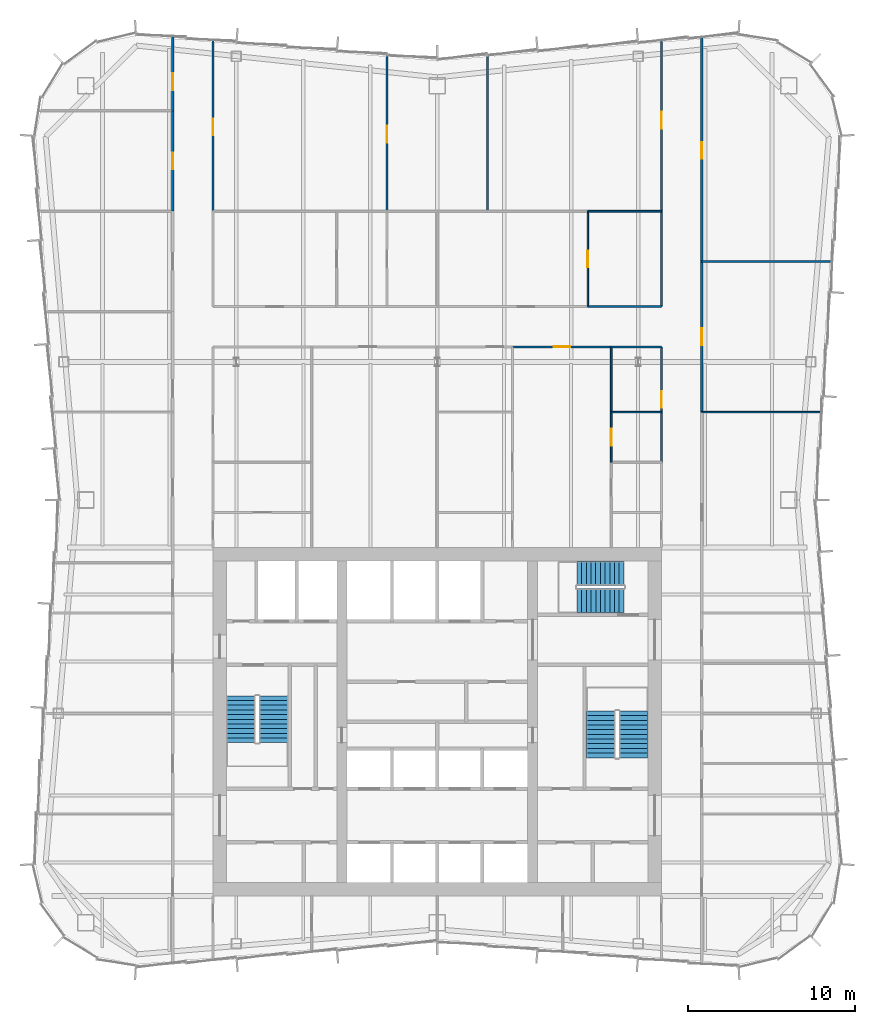
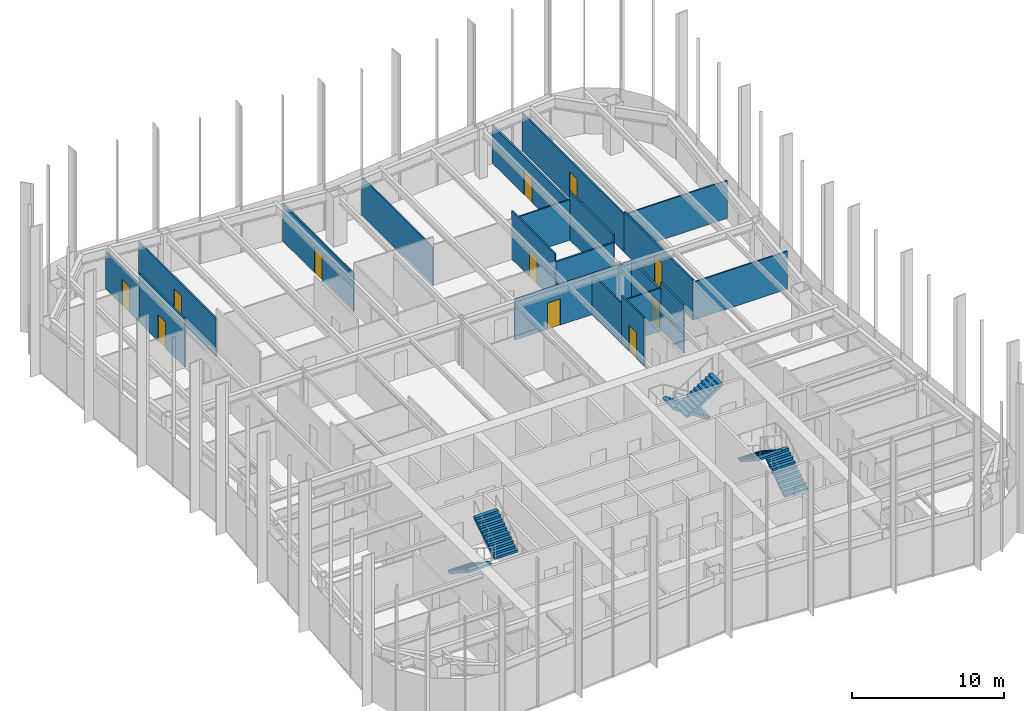
# One storey, part 14 of 15: 21 walls, 11 doors, 6 stair flights, 11 openings, 3 elements without a shape of their own.
"""IFC4 building model written with IfcOpenShell, lengths in metres."""

import ifcopenshell
import ifcopenshell.guid

model = None  # the IFC model being written
_history = None  # IfcOwnerHistory: only IFC2X3 demands one
_inside = {}  # id of a spatial element -> (the spatial element, [elements in it])
_under = {}  # id of a project, library or spatial element -> (it, [spatial elements below it])
_declared = {}  # id of a project -> (the project, [libraries it declares])
_typed = {}  # id of a type object -> (the type object, [elements of that type])
_made_of = {}  # id of a material, layer set ... -> (it, [elements and type objects made of it])


def new_model(schema):
    """Start an empty IFC model of exactly this schema.

    Asked for "IFC4X3", IfcOpenShell would pick the latest addendum, in which some entities
    have other attributes; the version numbers below select the first issue.
    IFC2X3 requires an IfcOwnerHistory on every rooted entity: one is made here for all.
    """
    global model, _history
    if schema == "IFC4X3":
        model = ifcopenshell.file(schema_version=(4, 3, 0, 0))
    else:
        model = ifcopenshell.file(schema=schema)
    _inside.clear()
    _under.clear()
    _declared.clear()
    _typed.clear()
    _made_of.clear()
    _history = None
    if model.schema == "IFC2X3":
        org = make("IfcOrganization", Name="unknown")
        user = make(
            "IfcPersonAndOrganization",
            ThePerson=make("IfcPerson", FamilyName="unknown"),
            TheOrganization=org,
        )
        app = make(
            "IfcApplication",
            ApplicationDeveloper=org,
            Version="unknown",
            ApplicationFullName="unknown",
            ApplicationIdentifier="unknown",
        )
        _history = make(
            "IfcOwnerHistory",
            OwningUser=user,
            OwningApplication=app,
            ChangeAction="ADDED",
            CreationDate=0,
        )
    return model


def make(cls, **values):
    """One entity of the class cls with the attributes given. An attribute that is None is left unset."""
    return model.create_entity(
        cls, **{name: value for name, value in values.items() if value is not None}
    )


def rooted(cls, **values):
    """An entity with a GlobalId (a new one), such as an element, a storey or a relation."""
    return make(cls, GlobalId=ifcopenshell.guid.new(), OwnerHistory=_history, **values)


def si_unit(unit_type, name, prefix=None):
    """IfcSIUnit, for example si_unit("LENGTHUNIT", "METRE", prefix="MILLI")."""
    return make("IfcSIUnit", UnitType=unit_type, Prefix=prefix, Name=name)


def assignment(units):
    """IfcUnitAssignment: the units of a project."""
    return None if units is None else make("IfcUnitAssignment", Units=units)


def point(xyz):
    """IfcCartesianPoint."""
    return None if xyz is None else make("IfcCartesianPoint", Coordinates=xyz)


def direction(xyz):
    """IfcDirection."""
    return None if xyz is None else make("IfcDirection", DirectionRatios=xyz)


def frame(location, z_axis=None, x_axis=None):
    """IfcAxis2Placement3D, a coordinate frame: its origin and axes. An axis left out is left unset."""
    return make(
        "IfcAxis2Placement3D",
        Location=point(location),
        Axis=direction(z_axis),
        RefDirection=direction(x_axis),
    )


def frame_2d(location, x_axis=None):
    """IfcAxis2Placement2D, a coordinate frame in the plane: its origin and x axis."""
    return make(
        "IfcAxis2Placement2D", Location=point(location), RefDirection=direction(x_axis)
    )


def origin():
    """The frame at (0, 0, 0) with its axes left unset."""
    return frame((0.0, 0.0, 0.0))


def place(relative_to, where):
    """IfcLocalPlacement: puts the frame where relative to a parent placement (None: the world)."""
    return make(
        "IfcLocalPlacement", PlacementRelTo=relative_to, RelativePlacement=where
    )


def context(
    kind, dimensions, precision=None, world=None, true_north=None, identifier=None
):
    """IfcGeometricRepresentationContext, for example the 3D "Model" context."""
    return make(
        "IfcGeometricRepresentationContext",
        ContextIdentifier=identifier,
        ContextType=kind,
        CoordinateSpaceDimension=dimensions,
        Precision=precision,
        WorldCoordinateSystem=world,
        TrueNorth=true_north,
    )


def subcontext(parent, identifier, kind, view, scale=None):
    """IfcGeometricRepresentationSubContext, for example "Body" below "Model"."""
    return make(
        "IfcGeometricRepresentationSubContext",
        ContextIdentifier=identifier,
        ContextType=kind,
        ParentContext=parent,
        TargetScale=scale,
        TargetView=view,
    )


def project(units=None, contexts=None):
    """IfcProject with its units and contexts."""
    return rooted(
        "IfcProject",
        Name="project",
        RepresentationContexts=contexts,
        UnitsInContext=assignment(units),
    )


def spatial(cls, under=None, at=None, **own):
    """A site, building, storey or space (cls), placed at a placement, below another one or the project."""
    s = rooted(cls, ObjectPlacement=at, **own)
    if under is not None:
        _under.setdefault(under.id(), (under, []))[1].append(s)
    return s


def polyline(points):
    """IfcPolyline through the points."""
    return make("IfcPolyline", Points=[point(p) for p in points])


def profile(cls, at=None, kind="AREA", **sizes):
    """A parametric profile (cls). Its sizes go by their IFC names, for example OverallWidth=200.0."""
    return make(cls, ProfileType=kind, Position=at, **sizes)


def rectangle(**sizes):
    """IfcRectangleProfileDef."""
    return profile("IfcRectangleProfileDef", **sizes)


def outline(outer, holes=None, kind="AREA"):
    """IfcArbitraryClosedProfileDef: a profile drawn as a closed curve; with holes, ...WithVoids."""
    if holes is None:
        return make("IfcArbitraryClosedProfileDef", ProfileType=kind, OuterCurve=outer)
    return make(
        "IfcArbitraryProfileDefWithVoids",
        ProfileType=kind,
        OuterCurve=outer,
        InnerCurves=holes,
    )


def extrude(swept, where, along, depth):
    """IfcExtrudedAreaSolid: the profile swept, set in the frame where, extruded along a direction by depth."""
    return make(
        "IfcExtrudedAreaSolid",
        SweptArea=swept,
        Position=where,
        ExtrudedDirection=direction(along),
        Depth=depth,
    )


def shape(context_of_items, identifier, shape_type, items):
    """IfcShapeRepresentation: the items that make up one representation, for example the "Body"."""
    return make(
        "IfcShapeRepresentation",
        ContextOfItems=context_of_items,
        RepresentationIdentifier=identifier,
        RepresentationType=shape_type,
        Items=items,
    )


def material(Name=None, Category=None):
    """IfcMaterial."""
    return make("IfcMaterial", Name=Name, Category=Category)


def layer(
    of_material, thickness, ventilated=None, Name=None, Category=None, Priority=None
):
    """IfcMaterialLayer: one layer of a wall or slab, of a material (None: an air gap)."""
    return make(
        "IfcMaterialLayer",
        Material=of_material,
        LayerThickness=thickness,
        IsVentilated=ventilated,
        Name=Name,
        Category=Category,
        Priority=Priority,
    )


def layer_set(layers, Name=None):
    """IfcMaterialLayerSet."""
    return make("IfcMaterialLayerSet", MaterialLayers=layers, LayerSetName=Name)


def made_of(thing, what):
    """Note that an element or type object is made of a material, layer set ...; save() writes the relation."""
    if what is not None:
        _made_of.setdefault(what.id(), (what, []))[1].append(thing)
    return thing


def type_object(cls, material=None, **own):
    """A type object (cls), such as IfcWallType, which elements share."""
    return made_of(rooted(cls, **own), material)


def element(
    cls,
    number,
    at=None,
    inside=None,
    cuts=None,
    type_object=None,
    material=None,
    context=None,
    identifier="Body",
    shape_type=None,
    held_by="IfcProductDefinitionShape",
    body=None,
    shapes=None,
    **own,
):
    """One element of the class cls, such as IfcWall. Its Tag is "e" and its number.

    at: its placement. inside: the storey or other place that contains it. cuts: it is an
    opening in that element (IfcRelVoidsElement). A single representation is given by context,
    identifier, shape_type and body (its items); several are given by shapes. held_by: the class
    of the entity that holds the representations. save() writes the other relations.
    """
    e = rooted(cls, Tag="e%d" % number, ObjectPlacement=at, **own)
    if body is not None:
        shapes = [shape(context, identifier, shape_type, body)]
    if shapes is not None:
        e.Representation = make(held_by, Representations=shapes)
    if inside is not None:
        _inside.setdefault(inside.id(), (inside, []))[1].append(e)
    if cuts is not None:
        rooted(
            "IfcRelVoidsElement", RelatingBuildingElement=cuts, RelatedOpeningElement=e
        )
    if type_object is not None:
        _typed.setdefault(type_object.id(), (type_object, []))[1].append(e)
    return made_of(e, material)


def fill(opening, filler):
    """IfcRelFillsElement: the door or window that sits in an opening."""
    return rooted(
        "IfcRelFillsElement",
        RelatingOpeningElement=opening,
        RelatedBuildingElement=filler,
    )


def aggregate(whole, parts):
    """IfcRelAggregates: a whole, such as a stair, and the parts it consists of."""
    return rooted("IfcRelAggregates", RelatingObject=whole, RelatedObjects=parts)


def save(model, path):
    """Write the relations noted so far, then the file.

    IfcRelAggregates (storeys below a building ...), IfcRelContainedInSpatialStructure (elements
    in a storey), IfcRelDefinesByType, IfcRelAssociatesMaterial and IfcRelDeclares: one each for
    every whole, place, type object, material and project.
    """
    for whole, parts in _under.values():
        aggregate(whole, parts)
    for where, things in _inside.values():
        rooted(
            "IfcRelContainedInSpatialStructure",
            RelatedElements=things,
            RelatingStructure=where,
        )
    for kind, things in _typed.values():
        rooted("IfcRelDefinesByType", RelatedObjects=things, RelatingType=kind)
    for what, things in _made_of.values():
        rooted("IfcRelAssociatesMaterial", RelatedObjects=things, RelatingMaterial=what)
    for by, libraries in _declared.values():
        rooted("IfcRelDeclares", RelatingContext=by, RelatedDefinitions=libraries)
    model.write(path)


model = new_model("IFC4")

# Units and contexts
model_context = context("Model", 3, precision=1e-05, world=origin(), true_north=direction((0.0, 1.0)))
body_context = subcontext(model_context, "Body", "Model", "MODEL_VIEW")
ifc_project = project(units=[si_unit("LENGTHUNIT", "METRE"), si_unit("AREAUNIT", "SQUARE_METRE"), si_unit("VOLUMEUNIT", "CUBIC_METRE"), si_unit("PLANEANGLEUNIT", "RADIAN"), si_unit("MASSUNIT", "GRAM", prefix="KILO")], contexts=[model_context])

# Site, building, storey
site_placement = place(None, origin())
site = spatial("IfcSite", under=ifc_project, at=site_placement, CompositionType="ELEMENT")
building_placement = place(site_placement, origin())
building = spatial("IfcBuilding", under=site, at=building_placement, Name="Verdant Reach Tower", CompositionType="ELEMENT")
storey_placement = place(building_placement, frame((0.0, 0.0, 262.0)))
storey = spatial("IfcBuildingStorey", under=building, at=storey_placement, Name="L60", CompositionType="ELEMENT", Elevation=262.0)

# Walls
ifc_material_1 = material(Name="Gypsum board on steel studs", Category="steel")
ifc_layer_1 = layer(ifc_material_1, 0.10009765625)
ifc_layer_set_1 = layer_set([ifc_layer_1], Name="FL-W1 Partition 100")
wall_type_1 = type_object("IfcWallType", Name="FL-W1 Partition 100", PredefinedType="PARTITIONING", material=ifc_layer_set_1)
wall_1_placement = place(storey_placement, frame((22.942138671875, 46.5, 0.0), z_axis=(0.0, 0.0, 1.0), x_axis=(-1.0, 0.0, 0.0)))
element("IfcWall", 1, at=wall_1_placement, inside=storey, type_object=wall_type_1, Name="Partition 60.54", PredefinedType="PARTITIONING", context=body_context, shape_type="SweptSolid", body=[
    extrude(rectangle(XDim=7.14208984375, YDim=0.10009765625, at=frame_2d((3.571044921875, 0.0))), origin(), (0.0, 0.0, 1.0), 3.0400390625),
])
wall_2_placement = place(storey_placement, frame((23.562744140625, 55.5, 0.0), z_axis=(0.0, 0.0, 1.0), x_axis=(-1.0, 0.0, 0.0)))
element("IfcWall", 2, at=wall_2_placement, inside=storey, type_object=wall_type_1, Name="Partition 60.55", PredefinedType="PARTITIONING", context=body_context, shape_type="SweptSolid", body=[
    extrude(rectangle(XDim=7.7626953125, YDim=0.10009765625, at=frame_2d((3.88134765625, 0.0))), origin(), (0.0, 0.0, 1.0), 3.0400390625),
])
wall_3_placement = place(storey_placement, frame((13.39990234375, 46.5, 0.0), z_axis=(0.0, 0.0, 1.0), x_axis=(-1.0, 0.0, 0.0)))
element("IfcWall", 3, at=wall_3_placement, inside=storey, type_object=wall_type_1, Name="Partition 60.71", PredefinedType="PARTITIONING", context=body_context, shape_type="SweptSolid", body=[
    extrude(rectangle(XDim=3.0, YDim=0.10009765625, at=frame_2d((1.5, 0.0))), origin(), (0.0, 0.0, 1.0), 3.43994140625),
])

# Wall, opening, door
wall_4_placement = place(storey_placement, frame((10.39990234375, 46.50390625, 0.0), z_axis=(0.0, 0.0, 1.0), x_axis=(0.0, -1.0, 0.0)))
wall_4 = element("IfcWall", 4, at=wall_4_placement, inside=storey, type_object=wall_type_1, Name="Partition 60.72", PredefinedType="PARTITIONING", context=body_context, shape_type="SweptSolid", body=[
    extrude(rectangle(XDim=3.0078125, YDim=0.10009765625, at=frame_2d((1.50390625, 0.0))), origin(), (0.0, 0.0, 1.0), 3.8701171875),
])
opening_1_placement = place(wall_4_placement, frame((1.00390625, 0.0, 0.0)))
opening_1 = element("IfcOpeningElement", 5, at=opening_1_placement, cuts=wall_4, Name="Opening D3", PredefinedType="OPENING", context=body_context, shape_type="SweptSolid", body=[
    extrude(rectangle(XDim=1.0, YDim=2.10009765625, at=frame_2d((0.5, 1.050048828125))), frame((0.0, 0.06005859375, 0.0), z_axis=(0.0, -1.0, 0.0), x_axis=(1.0, 0.0, 0.0)), (0.0, 0.0, 1.0), 0.1201171875),
])
ifc_material_2 = material(Name="Painted timber door leaf", Category="wood")
door_type_1 = type_object("IfcDoorType", Name="FL-D3 Door 1000x2100", OperationType="NOTDEFINED", PredefinedType="DOOR", material=ifc_material_2)
door_1_placement = place(opening_1_placement, origin())
door_1 = element("IfcDoor", 6, at=door_1_placement, inside=storey, type_object=door_type_1, Name="Door 60-035", OperationType="SINGLE_SWING_LEFT", OverallHeight=2.10009765625, OverallWidth=1.0, PredefinedType="DOOR", context=body_context, shape_type="SweptSolid", body=[
    extrude(rectangle(XDim=1.0, YDim=2.10009765625, at=frame_2d((0.5, 1.050048828125))), frame((0.0, 0.02490234375, 0.0), z_axis=(0.0, -1.0, 0.0), x_axis=(1.0, 0.0, 0.0)), (0.0, 0.0, 1.0), 0.050048828125),
])
fill(opening_1, door_1)

# Wall
wall_5_placement = place(storey_placement, frame((10.39990234375, 50.39990234375, 0.0), z_axis=(0.0, 0.0, 1.0), x_axis=(0.0, -1.0, 0.0)))
element("IfcWall", 7, at=wall_5_placement, inside=storey, type_object=wall_type_1, Name="Partition 60.73", PredefinedType="PARTITIONING", context=body_context, shape_type="SweptSolid", body=[
    extrude(rectangle(XDim=3.90380859375, YDim=0.10009765625, at=frame_2d((1.951904296875, 0.0))), origin(), (0.0, 0.0, 1.0), 3.239990234375),
])

# Wall, opening, door
wall_6_placement = place(storey_placement, frame((9.0, 58.5, 0.0), z_axis=(0.0, 0.0, 1.0), x_axis=(0.0, -1.0, 0.0)))
wall_6 = element("IfcWall", 8, at=wall_6_placement, inside=storey, type_object=wall_type_1, Name="Partition 60.85", PredefinedType="PARTITIONING", context=body_context, shape_type="SweptSolid", body=[
    extrude(rectangle(XDim=5.699951171875, YDim=0.10009765625, at=frame_2d((2.85009765625, 0.0))), origin(), (0.0, 0.0, 1.0), 3.8701171875),
])
opening_2_placement = place(wall_6_placement, frame((2.35009765625, 0.0, 0.0)))
opening_2 = element("IfcOpeningElement", 9, at=opening_2_placement, cuts=wall_6, Name="Opening D3", PredefinedType="OPENING", context=body_context, shape_type="SweptSolid", body=[
    extrude(rectangle(XDim=1.0, YDim=2.10009765625, at=frame_2d((0.5, 1.050048828125))), frame((0.0, 0.06005859375, 0.0), z_axis=(0.0, -1.0, 0.0), x_axis=(1.0, 0.0, 0.0)), (0.0, 0.0, 1.0), 0.1201171875),
])
door_2_placement = place(opening_2_placement, origin())
door_2 = element("IfcDoor", 10, at=door_2_placement, inside=storey, type_object=door_type_1, Name="Door 60-040", OperationType="SINGLE_SWING_RIGHT", OverallHeight=2.10009765625, OverallWidth=1.0, PredefinedType="DOOR", context=body_context, shape_type="SweptSolid", body=[
    extrude(rectangle(XDim=1.0, YDim=2.10009765625, at=frame_2d((0.5, 1.050048828125))), frame((0.0, 0.02490234375, 0.0), z_axis=(0.0, -1.0, 0.0), x_axis=(1.0, 0.0, 0.0)), (0.0, 0.0, 1.0), 0.050048828125),
])
fill(opening_2, door_2)

# Wall
wall_7_placement = place(storey_placement, frame((13.39990234375, 58.5, 0.0), z_axis=(0.0, 0.0, 1.0), x_axis=(-1.0, 0.0, 0.0)))
element("IfcWall", 11, at=wall_7_placement, inside=storey, type_object=wall_type_1, Name="Partition 60.88", PredefinedType="PARTITIONING", context=body_context, shape_type="SweptSolid", body=[
    extrude(rectangle(XDim=4.40380859375, YDim=0.10009765625, at=frame_2d((2.201904296875, 0.0))), origin(), (0.0, 0.0, 1.0), 3.239990234375),
])

# Wall, opening, door
wall_8_placement = place(storey_placement, frame((-3.0, 67.830078125, 0.0), z_axis=(0.0, 0.0, 1.0), x_axis=(0.0, -1.0, 0.0)))
wall_8 = element("IfcWall", 12, at=wall_8_placement, inside=storey, type_object=wall_type_1, Name="Partition 60.89", PredefinedType="PARTITIONING", context=body_context, shape_type="SweptSolid", body=[
    extrude(rectangle(XDim=9.330078125, YDim=0.10009765625, at=frame_2d((4.6650390625, 0.0))), origin(), (0.0, 0.0, 1.0), 3.0400390625),
])
opening_3_placement = place(wall_8_placement, frame((4.22998046875, 0.0, 0.0)))
opening_3 = element("IfcOpeningElement", 13, at=opening_3_placement, cuts=wall_8, Name="Opening D3", PredefinedType="OPENING", context=body_context, shape_type="SweptSolid", body=[
    extrude(rectangle(XDim=1.0, YDim=2.10009765625, at=frame_2d((0.5, 1.050048828125))), frame((0.0, 0.06005859375, 0.0), z_axis=(0.0, -1.0, 0.0), x_axis=(1.0, 0.0, 0.0)), (0.0, 0.0, 1.0), 0.1201171875),
])
door_3_placement = place(opening_3_placement, origin())
door_3 = element("IfcDoor", 14, at=door_3_placement, inside=storey, type_object=door_type_1, Name="Door 60-041", OperationType="SINGLE_SWING_RIGHT", OverallHeight=2.10009765625, OverallWidth=1.0, PredefinedType="DOOR", context=body_context, shape_type="SweptSolid", body=[
    extrude(rectangle(XDim=1.0, YDim=2.10009765625, at=frame_2d((0.5, 1.050048828125))), frame((0.0, 0.02490234375, 0.0), z_axis=(0.0, -1.0, 0.0), x_axis=(1.0, 0.0, 0.0)), (0.0, 0.0, 1.0), 0.050048828125),
])
fill(opening_3, door_3)

# Wall
wall_9_placement = place(storey_placement, frame((3.0, 58.5, 0.0), z_axis=(0.0, 0.0, 1.0), x_axis=(0.0, 1.0, 0.0)))
element("IfcWall", 15, at=wall_9_placement, inside=storey, type_object=wall_type_1, Name="Partition 60.90", PredefinedType="PARTITIONING", context=body_context, shape_type="SweptSolid", body=[
    extrude(rectangle(XDim=9.330078125, YDim=0.10009765625, at=frame_2d((4.6650390625, 0.0))), origin(), (0.0, 0.0, 1.0), 3.0400390625),
])

# Wall, opening, door
ifc_material_3 = material(Name="Gypsum board on steel studs, fire rated", Category="steel")
ifc_layer_2 = layer(ifc_material_3, 0.125)
ifc_layer_set_2 = layer_set([ifc_layer_2], Name="FL-W2 Corridor wall 125")
wall_type_2 = type_object("IfcWallType", Name="FL-W2 Corridor wall 125", PredefinedType="PARTITIONING", material=ifc_layer_set_2)
wall_10_placement = place(storey_placement, frame((-15.800048828125, 58.5, 0.0), z_axis=(0.0, 0.0, 1.0), x_axis=(0.0, 1.0, 0.0)))
wall_10 = element("IfcWall", 16, at=wall_10_placement, inside=storey, type_object=wall_type_2, Name="Partition 60.08", PredefinedType="PARTITIONING", context=body_context, shape_type="SweptSolid", body=[
    extrude(rectangle(XDim=6.0, YDim=0.125, at=frame_2d((3.0, 0.0))), origin(), (0.0, 0.0, 1.0), 3.8701171875),
])
opening_4_placement = place(wall_10_placement, frame((2.5, 0.0, 0.0)))
opening_4 = element("IfcOpeningElement", 17, at=opening_4_placement, cuts=wall_10, Name="Opening D2", PredefinedType="OPENING", context=body_context, shape_type="SweptSolid", body=[
    extrude(rectangle(XDim=1.0, YDim=2.10009765625, at=frame_2d((0.5, 1.050048828125))), frame((0.0, 0.072509765625, 0.0), z_axis=(0.0, -1.0, 0.0), x_axis=(1.0, 0.0, 0.0)), (0.0, 0.0, 1.0), 0.14501953125),
])
ifc_material_4 = material(Name="Timber door leaf, fire rated", Category="wood")
door_type_2 = type_object("IfcDoorType", Name="FL-D2 Entrance door 1000x2100 FD30", OperationType="NOTDEFINED", PredefinedType="DOOR", material=ifc_material_4)
door_4_placement = place(opening_4_placement, origin())
door_4 = element("IfcDoor", 18, at=door_4_placement, inside=storey, type_object=door_type_2, Name="Door 60-008", OperationType="SINGLE_SWING_RIGHT", OverallHeight=2.10009765625, OverallWidth=1.0, PredefinedType="DOOR", context=body_context, shape_type="SweptSolid", body=[
    extrude(rectangle(XDim=1.0, YDim=2.10009765625, at=frame_2d((0.5, 1.050048828125))), frame((0.0, 0.02490234375, 0.0), z_axis=(0.0, -1.0, 0.0), x_axis=(1.0, 0.0, 0.0)), (0.0, 0.0, 1.0), 0.050048828125),
])
fill(opening_4, door_4)

wall_11_placement = place(storey_placement, frame((-15.800048828125, 64.5, 0.0), z_axis=(0.0, 0.0, 1.0), x_axis=(0.0, 1.0, 0.0)))
wall_11 = element("IfcWall", 19, at=wall_11_placement, inside=storey, type_object=wall_type_2, Name="Partition 60.09", PredefinedType="PARTITIONING", context=body_context, shape_type="SweptSolid", body=[
    extrude(rectangle(XDim=4.396728515625, YDim=0.125, at=frame_2d((2.1982421875, 0.0))), origin(), (0.0, 0.0, 1.0), 3.0400390625),
])
opening_5_placement = place(wall_11_placement, frame((1.233154296875, 0.0, 0.0)))
opening_5 = element("IfcOpeningElement", 20, at=opening_5_placement, cuts=wall_11, Name="Opening D2", PredefinedType="OPENING", context=body_context, shape_type="SweptSolid", body=[
    extrude(rectangle(XDim=1.0, YDim=2.10009765625, at=frame_2d((0.5, 1.050048828125))), frame((0.0, 0.072509765625, 0.0), z_axis=(0.0, -1.0, 0.0), x_axis=(1.0, 0.0, 0.0)), (0.0, 0.0, 1.0), 0.14501953125),
])
door_5_placement = place(opening_5_placement, origin())
door_5 = element("IfcDoor", 21, at=door_5_placement, inside=storey, type_object=door_type_2, Name="Door 60-009", OperationType="SINGLE_SWING_LEFT", OverallHeight=2.10009765625, OverallWidth=1.0, PredefinedType="DOOR", context=body_context, shape_type="SweptSolid", body=[
    extrude(rectangle(XDim=1.0, YDim=2.10009765625, at=frame_2d((0.5, 1.050048828125))), frame((0.0, 0.02490234375, 0.0), z_axis=(0.0, -1.0, 0.0), x_axis=(1.0, 0.0, 0.0)), (0.0, 0.0, 1.0), 0.050048828125),
])
fill(opening_5, door_5)

wall_12_placement = place(storey_placement, frame((15.800048828125, 55.5, 0.0), z_axis=(0.0, 0.0, 1.0), x_axis=(0.0, -1.0, 0.0)))
wall_12 = element("IfcWall", 22, at=wall_12_placement, inside=storey, type_object=wall_type_2, Name="Partition 60.16", PredefinedType="PARTITIONING", context=body_context, shape_type="SweptSolid", body=[
    extrude(rectangle(XDim=9.0, YDim=0.125, at=frame_2d((4.5, 0.0))), origin(), (0.0, 0.0, 1.0), 3.239990234375),
])
opening_6_placement = place(wall_12_placement, frame((4.0, 0.0, 0.0)))
opening_6 = element("IfcOpeningElement", 23, at=opening_6_placement, cuts=wall_12, Name="Opening D2", PredefinedType="OPENING", context=body_context, shape_type="SweptSolid", body=[
    extrude(rectangle(XDim=1.0, YDim=2.10009765625, at=frame_2d((0.5, 1.050048828125))), frame((0.0, 0.072509765625, 0.0), z_axis=(0.0, -1.0, 0.0), x_axis=(1.0, 0.0, 0.0)), (0.0, 0.0, 1.0), 0.14501953125),
])
door_6_placement = place(opening_6_placement, origin())
door_6 = element("IfcDoor", 24, at=door_6_placement, inside=storey, type_object=door_type_2, Name="Door 60-016", OperationType="SINGLE_SWING_RIGHT", OverallHeight=2.10009765625, OverallWidth=1.0, PredefinedType="DOOR", context=body_context, shape_type="SweptSolid", body=[
    extrude(rectangle(XDim=1.0, YDim=2.10009765625, at=frame_2d((0.5, 1.050048828125))), frame((0.0, 0.02490234375, 0.0), z_axis=(0.0, -1.0, 0.0), x_axis=(1.0, 0.0, 0.0)), (0.0, 0.0, 1.0), 0.050048828125),
])
fill(opening_6, door_6)

wall_13_placement = place(storey_placement, frame((15.800048828125, 68.896728515625, 0.0), z_axis=(0.0, 0.0, 1.0), x_axis=(0.0, -1.0, 0.0)))
wall_13 = element("IfcWall", 25, at=wall_13_placement, inside=storey, type_object=wall_type_2, Name="Partition 60.17", PredefinedType="PARTITIONING", context=body_context, shape_type="SweptSolid", body=[
    extrude(rectangle(XDim=13.396728515625, YDim=0.125, at=frame_2d((6.6982421875, 0.0))), origin(), (0.0, 0.0, 1.0), 3.0400390625),
])
opening_7_placement = place(wall_13_placement, frame((6.263427734375, 0.0, 0.0)))
opening_7 = element("IfcOpeningElement", 26, at=opening_7_placement, cuts=wall_13, Name="Opening D2", PredefinedType="OPENING", context=body_context, shape_type="SweptSolid", body=[
    extrude(rectangle(XDim=1.0, YDim=2.10009765625, at=frame_2d((0.5, 1.050048828125))), frame((0.0, 0.072509765625, 0.0), z_axis=(0.0, -1.0, 0.0), x_axis=(1.0, 0.0, 0.0)), (0.0, 0.0, 1.0), 0.14501953125),
])
door_7_placement = place(opening_7_placement, origin())
door_7 = element("IfcDoor", 27, at=door_7_placement, inside=storey, type_object=door_type_2, Name="Door 60-017", OperationType="SINGLE_SWING_RIGHT", OverallHeight=2.10009765625, OverallWidth=1.0, PredefinedType="DOOR", context=body_context, shape_type="SweptSolid", body=[
    extrude(rectangle(XDim=1.0, YDim=2.10009765625, at=frame_2d((0.5, 1.050048828125))), frame((0.0, 0.02490234375, 0.0), z_axis=(0.0, -1.0, 0.0), x_axis=(1.0, 0.0, 0.0)), (0.0, 0.0, 1.0), 0.050048828125),
])
fill(opening_7, door_7)

# Walls
wall_14_placement = place(storey_placement, frame((13.39990234375, 43.5, 0.0), z_axis=(0.0, 0.0, 1.0), x_axis=(0.0, 1.0, 0.0)))
element("IfcWall", 28, at=wall_14_placement, inside=storey, type_object=wall_type_2, Name="Partition 60.27", PredefinedType="PARTITIONING", context=body_context, shape_type="SweptSolid", body=[
    extrude(rectangle(XDim=3.0, YDim=0.125, at=frame_2d((1.5, 0.0))), origin(), (0.0, 0.0, 1.0), 3.8701171875),
])
wall_15_placement = place(storey_placement, frame((13.39990234375, 50.39990234375, 0.0), z_axis=(0.0, 0.0, 1.0), x_axis=(-1.0, 0.0, 0.0)))
element("IfcWall", 29, at=wall_15_placement, inside=storey, type_object=wall_type_2, Name="Partition 60.28", PredefinedType="PARTITIONING", context=body_context, shape_type="SweptSolid", body=[
    extrude(rectangle(XDim=3.0, YDim=0.125, at=frame_2d((1.5, 0.0))), origin(), (0.0, 0.0, 1.0), 3.239990234375),
])

# Wall, opening, door
wall_16_placement = place(storey_placement, frame((13.39990234375, 46.5, 0.0), z_axis=(0.0, 0.0, 1.0), x_axis=(0.0, 1.0, 0.0)))
wall_16 = element("IfcWall", 30, at=wall_16_placement, inside=storey, type_object=wall_type_2, Name="Partition 60.29", PredefinedType="PARTITIONING", context=body_context, shape_type="SweptSolid", body=[
    extrude(rectangle(XDim=3.89990234375, YDim=0.125, at=frame_2d((1.949951171875, 0.0))), origin(), (0.0, 0.0, 1.0), 3.239990234375),
])
opening_8_placement = place(wall_16_placement, frame((0.25, 0.0, 0.0)))
opening_8 = element("IfcOpeningElement", 31, at=opening_8_placement, cuts=wall_16, Name="Opening D2", PredefinedType="OPENING", context=body_context, shape_type="SweptSolid", body=[
    extrude(rectangle(XDim=1.0, YDim=2.10009765625, at=frame_2d((0.5, 1.050048828125))), frame((0.0, 0.072509765625, 0.0), z_axis=(0.0, -1.0, 0.0), x_axis=(1.0, 0.0, 0.0)), (0.0, 0.0, 1.0), 0.14501953125),
])
door_8_placement = place(opening_8_placement, origin())
door_8 = element("IfcDoor", 32, at=door_8_placement, inside=storey, type_object=door_type_2, Name="Door 60-024", OperationType="SINGLE_SWING_LEFT", OverallHeight=2.10009765625, OverallWidth=1.0, PredefinedType="DOOR", context=body_context, shape_type="SweptSolid", body=[
    extrude(rectangle(XDim=1.0, YDim=2.10009765625, at=frame_2d((0.5, 1.050048828125))), frame((0.0, 0.02490234375, 0.0), z_axis=(0.0, -1.0, 0.0), x_axis=(1.0, 0.0, 0.0)), (0.0, 0.0, 1.0), 0.050048828125),
])
fill(opening_8, door_8)

wall_17_placement = place(storey_placement, frame((10.39990234375, 50.39990234375, 0.0), z_axis=(0.0, 0.0, 1.0), x_axis=(-1.0, 0.0, 0.0)))
wall_17 = element("IfcWall", 33, at=wall_17_placement, inside=storey, type_object=wall_type_2, Name="Partition 60.30", PredefinedType="PARTITIONING", context=body_context, shape_type="SweptSolid", body=[
    extrude(rectangle(XDim=5.89990234375, YDim=0.125, at=frame_2d((2.949951171875, 0.0))), origin(), (0.0, 0.0, 1.0), 3.239990234375),
])
opening_9_placement = place(wall_17_placement, frame((2.449951171875, 0.0, 0.0)))
opening_9 = element("IfcOpeningElement", 34, at=opening_9_placement, cuts=wall_17, Name="Opening D2", PredefinedType="OPENING", context=body_context, shape_type="SweptSolid", body=[
    extrude(rectangle(XDim=1.0, YDim=2.10009765625, at=frame_2d((0.5, 1.050048828125))), frame((0.0, 0.072509765625, 0.0), z_axis=(0.0, -1.0, 0.0), x_axis=(1.0, 0.0, 0.0)), (0.0, 0.0, 1.0), 0.14501953125),
])
door_9_placement = place(opening_9_placement, origin())
door_9 = element("IfcDoor", 35, at=door_9_placement, inside=storey, type_object=door_type_2, Name="Door 60-025", OperationType="SINGLE_SWING_LEFT", OverallHeight=2.10009765625, OverallWidth=1.0, PredefinedType="DOOR", context=body_context, shape_type="SweptSolid", body=[
    extrude(rectangle(XDim=1.0, YDim=2.10009765625, at=frame_2d((0.5, 1.050048828125))), frame((0.0, 0.02490234375, 0.0), z_axis=(0.0, -1.0, 0.0), x_axis=(1.0, 0.0, 0.0)), (0.0, 0.0, 1.0), 0.050048828125),
])
fill(opening_9, door_9)

# Walls
wall_18_placement = place(storey_placement, frame((13.39990234375, 52.800048828125, 0.0), z_axis=(0.0, 0.0, 1.0), x_axis=(0.0, 1.0, 0.0)))
element("IfcWall", 36, at=wall_18_placement, inside=storey, type_object=wall_type_2, Name="Partition 60.37", PredefinedType="PARTITIONING", context=body_context, shape_type="SweptSolid", body=[
    extrude(rectangle(XDim=5.699951171875, YDim=0.125, at=frame_2d((2.85009765625, 0.0))), origin(), (0.0, 0.0, 1.0), 3.8701171875),
])
wall_19_placement = place(storey_placement, frame((13.39990234375, 52.800048828125, 0.0), z_axis=(0.0, 0.0, 1.0), x_axis=(-1.0, 0.0, 0.0)))
element("IfcWall", 37, at=wall_19_placement, inside=storey, type_object=wall_type_2, Name="Partition 60.38", PredefinedType="PARTITIONING", context=body_context, shape_type="SweptSolid", body=[
    extrude(rectangle(XDim=4.39990234375, YDim=0.125, at=frame_2d((2.199951171875, 0.0))), origin(), (0.0, 0.0, 1.0), 3.239990234375),
])

# Wall, opening, door
wall_20_placement = place(storey_placement, frame((-13.39990234375, 68.69677734375, 0.0), z_axis=(0.0, 0.0, 1.0), x_axis=(0.0, -1.0, 0.0)))
wall_20 = element("IfcWall", 38, at=wall_20_placement, inside=storey, type_object=wall_type_2, Name="Partition 60.39", PredefinedType="PARTITIONING", context=body_context, shape_type="SweptSolid", body=[
    extrude(rectangle(XDim=10.19677734375, YDim=0.125, at=frame_2d((5.098388671875, 0.0))), origin(), (0.0, 0.0, 1.0), 3.0400390625),
])
opening_10_placement = place(wall_20_placement, frame((4.663330078125, 0.0, 0.0)))
opening_10 = element("IfcOpeningElement", 39, at=opening_10_placement, cuts=wall_20, Name="Opening D2", PredefinedType="OPENING", context=body_context, shape_type="SweptSolid", body=[
    extrude(rectangle(XDim=1.0, YDim=2.10009765625, at=frame_2d((0.5, 1.050048828125))), frame((0.0, 0.072509765625, 0.0), z_axis=(0.0, -1.0, 0.0), x_axis=(1.0, 0.0, 0.0)), (0.0, 0.0, 1.0), 0.14501953125),
])
door_10_placement = place(opening_10_placement, origin())
door_10 = element("IfcDoor", 40, at=door_10_placement, inside=storey, type_object=door_type_2, Name="Door 60-029", OperationType="SINGLE_SWING_RIGHT", OverallHeight=2.10009765625, OverallWidth=1.0, PredefinedType="DOOR", context=body_context, shape_type="SweptSolid", body=[
    extrude(rectangle(XDim=1.0, YDim=2.10009765625, at=frame_2d((0.5, 1.050048828125))), frame((0.0, 0.02490234375, 0.0), z_axis=(0.0, -1.0, 0.0), x_axis=(1.0, 0.0, 0.0)), (0.0, 0.0, 1.0), 0.050048828125),
])
fill(opening_10, door_10)

wall_21_placement = place(storey_placement, frame((13.39990234375, 58.5, 0.0), z_axis=(0.0, 0.0, 1.0), x_axis=(0.0, 1.0, 0.0)))
wall_21 = element("IfcWall", 41, at=wall_21_placement, inside=storey, type_object=wall_type_2, Name="Partition 60.40", PredefinedType="PARTITIONING", context=body_context, shape_type="SweptSolid", body=[
    extrude(rectangle(XDim=10.19677734375, YDim=0.125, at=frame_2d((5.098388671875, 0.0))), origin(), (0.0, 0.0, 1.0), 3.0400390625),
])
opening_11_placement = place(wall_21_placement, frame((4.93310546875, 0.0, 0.0)))
opening_11 = element("IfcOpeningElement", 42, at=opening_11_placement, cuts=wall_21, Name="Opening D2", PredefinedType="OPENING", context=body_context, shape_type="SweptSolid", body=[
    extrude(rectangle(XDim=1.0, YDim=2.10009765625, at=frame_2d((0.5, 1.050048828125))), frame((0.0, 0.072509765625, 0.0), z_axis=(0.0, -1.0, 0.0), x_axis=(1.0, 0.0, 0.0)), (0.0, 0.0, 1.0), 0.14501953125),
])
door_11_placement = place(opening_11_placement, origin())
door_11 = element("IfcDoor", 43, at=door_11_placement, inside=storey, type_object=door_type_2, Name="Door 60-030", OperationType="SINGLE_SWING_RIGHT", OverallHeight=2.10009765625, OverallWidth=1.0, PredefinedType="DOOR", context=body_context, shape_type="SweptSolid", body=[
    extrude(rectangle(XDim=1.0, YDim=2.10009765625, at=frame_2d((0.5, 1.050048828125))), frame((0.0, 0.02490234375, 0.0), z_axis=(0.0, -1.0, 0.0), x_axis=(1.0, 0.0, 0.0)), (0.0, 0.0, 1.0), 0.050048828125),
])
fill(opening_11, door_11)

# Stair, stair flights
ifc_material_5 = material(Name="Concrete C40/50", Category="concrete")
stair_type = type_object("IfcStairType", Name="CO-STAIR", PredefinedType="HALF_TURN_STAIR", material=ifc_material_5)
stair_1_placement = place(storey_placement, origin())
stair_1 = element("IfcStair", 44, at=stair_1_placement, inside=storey, type_object=stair_type, Name="L60 Exit stair 1", PredefinedType="HALF_TURN_STAIR")
stair_flight_type = type_object("IfcStairFlightType", Name="CO-STAIR-FLIGHT", PredefinedType="STRAIGHT", material=ifc_material_5)
stair_flight_1_placement = place(storey_placement, frame((-11.72509765625, 29.550048828125, 0.0), z_axis=(0.0, 0.0, 1.0), x_axis=(0.0, -1.0, 0.0)))
stair_flight_1 = element("IfcStairFlight", 45, at=stair_flight_1_placement, type_object=stair_flight_type, Name="ST-1 flight 1", NumberOfRisers=11, NumberOfTreads=10, PredefinedType="STRAIGHT", RiserHeight=0.181818182, TreadLength=0.28, context=body_context, shape_type="SweptSolid", body=[
    extrude(outline(polyline([(0.0, 0.0), (0.0, 0.181884765625), (0.280029296875, 0.181884765625), (0.280029296875, 0.363525390625), (0.56005859375, 0.363525390625), (0.56005859375, 0.54541015625), (0.840087890625, 0.54541015625), (0.840087890625, 0.727294921875), (1.1201171875, 0.727294921875), (1.1201171875, 0.9091796875), (1.39990234375, 0.9091796875), (1.39990234375, 1.0908203125), (1.679931640625, 1.0908203125), (1.679931640625, 1.272705078125), (1.9599609375, 1.272705078125), (1.9599609375, 1.45458984375), (2.239990234375, 1.45458984375), (2.239990234375, 1.636474609375), (2.52001953125, 1.636474609375), (2.52001953125, 1.818115234375), (2.800048828125, 1.818115234375), (2.800048828125, 2.0), (2.800048828125, 1.639404296875), (0.275146484375, 0.0), (0.0, 0.0)])), frame((0.0, 0.875, 0.0), z_axis=(0.0, -1.0, 0.0), x_axis=(1.0, 0.0, 0.0)), (0.0, 0.0, 1.0), 1.75),
])
stair_flight_2_placement = place(storey_placement, frame((-9.77490234375, 26.75, 2.0), z_axis=(0.0, 0.0, 1.0), x_axis=(0.0, 1.0, 0.0)))
stair_flight_2 = element("IfcStairFlight", 46, at=stair_flight_2_placement, type_object=stair_flight_type, Name="ST-1 flight 2", NumberOfRisers=11, NumberOfTreads=10, PredefinedType="STRAIGHT", RiserHeight=0.181818182, TreadLength=0.28, context=body_context, shape_type="SweptSolid", body=[
    extrude(outline(polyline([(0.0, 0.0), (0.0, 0.181884765625), (0.280029296875, 0.181884765625), (0.280029296875, 0.363525390625), (0.56005859375, 0.363525390625), (0.56005859375, 0.54541015625), (0.840087890625, 0.54541015625), (0.840087890625, 0.727294921875), (1.1201171875, 0.727294921875), (1.1201171875, 0.9091796875), (1.39990234375, 0.9091796875), (1.39990234375, 1.0908203125), (1.679931640625, 1.0908203125), (1.679931640625, 1.272705078125), (1.9599609375, 1.272705078125), (1.9599609375, 1.45458984375), (2.239990234375, 1.45458984375), (2.239990234375, 1.636474609375), (2.52001953125, 1.636474609375), (2.52001953125, 1.818115234375), (2.800048828125, 1.818115234375), (2.800048828125, 2.0), (2.800048828125, 1.639404296875), (0.275146484375, 0.0), (0.0, 0.0)])), frame((0.0, 0.875, 0.0), z_axis=(0.0, -1.0, 0.0), x_axis=(1.0, 0.0, 0.0)), (0.0, 0.0, 1.0), 1.75),
])
aggregate(stair_1, [stair_flight_1, stair_flight_2])

stair_2_placement = place(storey_placement, origin())
stair_2 = element("IfcStair", 47, at=stair_2_placement, inside=storey, type_object=stair_type, Name="L60 Exit stair 2", PredefinedType="HALF_TURN_STAIR")
stair_flight_3_placement = place(storey_placement, frame((11.72509765625, 25.85009765625, 0.0), z_axis=(0.0, 0.0, 1.0), x_axis=(0.0, 1.0, 0.0)))
stair_flight_3 = element("IfcStairFlight", 48, at=stair_flight_3_placement, type_object=stair_flight_type, Name="ST-2 flight 1", NumberOfRisers=11, NumberOfTreads=10, PredefinedType="STRAIGHT", RiserHeight=0.181818182, TreadLength=0.28, context=body_context, shape_type="SweptSolid", body=[
    extrude(outline(polyline([(0.0, 0.0), (0.0, 0.181884765625), (0.280029296875, 0.181884765625), (0.280029296875, 0.363525390625), (0.56005859375, 0.363525390625), (0.56005859375, 0.54541015625), (0.840087890625, 0.54541015625), (0.840087890625, 0.727294921875), (1.1201171875, 0.727294921875), (1.1201171875, 0.9091796875), (1.39990234375, 0.9091796875), (1.39990234375, 1.0908203125), (1.679931640625, 1.0908203125), (1.679931640625, 1.272705078125), (1.9599609375, 1.272705078125), (1.9599609375, 1.45458984375), (2.239990234375, 1.45458984375), (2.239990234375, 1.636474609375), (2.52001953125, 1.636474609375), (2.52001953125, 1.818115234375), (2.800048828125, 1.818115234375), (2.800048828125, 2.0), (2.800048828125, 1.639404296875), (0.275146484375, 0.0), (0.0, 0.0)])), frame((0.0, 0.875, 0.0), z_axis=(0.0, -1.0, 0.0), x_axis=(1.0, 0.0, 0.0)), (0.0, 0.0, 1.0), 1.75),
])
stair_flight_4_placement = place(storey_placement, frame((9.77490234375, 28.64990234375, 2.0), z_axis=(0.0, 0.0, 1.0), x_axis=(0.0, -1.0, 0.0)))
stair_flight_4 = element("IfcStairFlight", 49, at=stair_flight_4_placement, type_object=stair_flight_type, Name="ST-2 flight 2", NumberOfRisers=11, NumberOfTreads=10, PredefinedType="STRAIGHT", RiserHeight=0.181818182, TreadLength=0.28, context=body_context, shape_type="SweptSolid", body=[
    extrude(outline(polyline([(0.0, 0.0), (0.0, 0.181884765625), (0.280029296875, 0.181884765625), (0.280029296875, 0.363525390625), (0.56005859375, 0.363525390625), (0.56005859375, 0.54541015625), (0.840087890625, 0.54541015625), (0.840087890625, 0.727294921875), (1.1201171875, 0.727294921875), (1.1201171875, 0.9091796875), (1.39990234375, 0.9091796875), (1.39990234375, 1.0908203125), (1.679931640625, 1.0908203125), (1.679931640625, 1.272705078125), (1.9599609375, 1.272705078125), (1.9599609375, 1.45458984375), (2.239990234375, 1.45458984375), (2.239990234375, 1.636474609375), (2.52001953125, 1.636474609375), (2.52001953125, 1.818115234375), (2.800048828125, 1.818115234375), (2.800048828125, 2.0), (2.800048828125, 1.639404296875), (0.275146484375, 0.0), (0.0, 0.0)])), frame((0.0, 0.875, 0.0), z_axis=(0.0, -1.0, 0.0), x_axis=(1.0, 0.0, 0.0)), (0.0, 0.0, 1.0), 1.75),
])
aggregate(stair_2, [stair_flight_3, stair_flight_4])

stair_3_placement = place(storey_placement, origin())
stair_3 = element("IfcStair", 50, at=stair_3_placement, inside=storey, type_object=stair_type, Name="L60 Exit stair 3", PredefinedType="HALF_TURN_STAIR")
stair_flight_5_placement = place(storey_placement, frame((11.14990234375, 36.875, 0.0), z_axis=(0.0, 0.0, 1.0), x_axis=(-1.0, 0.0, 0.0)))
stair_flight_5 = element("IfcStairFlight", 51, at=stair_flight_5_placement, type_object=stair_flight_type, Name="ST-3 flight 1", NumberOfRisers=11, NumberOfTreads=10, PredefinedType="STRAIGHT", RiserHeight=0.181818182, TreadLength=0.28, context=body_context, shape_type="SweptSolid", body=[
    extrude(outline(polyline([(0.0, 0.0), (0.0, 0.181884765625), (0.280029296875, 0.181884765625), (0.280029296875, 0.363525390625), (0.56005859375, 0.363525390625), (0.56005859375, 0.54541015625), (0.840087890625, 0.54541015625), (0.840087890625, 0.727294921875), (1.1201171875, 0.727294921875), (1.1201171875, 0.9091796875), (1.39990234375, 0.9091796875), (1.39990234375, 1.0908203125), (1.679931640625, 1.0908203125), (1.679931640625, 1.272705078125), (1.9599609375, 1.272705078125), (1.9599609375, 1.45458984375), (2.239990234375, 1.45458984375), (2.239990234375, 1.636474609375), (2.52001953125, 1.636474609375), (2.52001953125, 1.818115234375), (2.800048828125, 1.818115234375), (2.800048828125, 2.0), (2.800048828125, 1.639404296875), (0.275146484375, 0.0), (0.0, 0.0)])), frame((0.0, 0.72509765625, 0.0), z_axis=(0.0, -1.0, 0.0), x_axis=(1.0, 0.0, 0.0)), (0.0, 0.0, 1.0), 1.449951171875),
])
stair_flight_6_placement = place(storey_placement, frame((8.35009765625, 35.22509765625, 2.0), z_axis=(0.0, 0.0, 1.0), x_axis=(1.0, 0.0, 0.0)))
stair_flight_6 = element("IfcStairFlight", 52, at=stair_flight_6_placement, type_object=stair_flight_type, Name="ST-3 flight 2", NumberOfRisers=11, NumberOfTreads=10, PredefinedType="STRAIGHT", RiserHeight=0.181818182, TreadLength=0.28, context=body_context, shape_type="SweptSolid", body=[
    extrude(outline(polyline([(0.0, 0.0), (0.0, 0.181884765625), (0.280029296875, 0.181884765625), (0.280029296875, 0.363525390625), (0.56005859375, 0.363525390625), (0.56005859375, 0.54541015625), (0.840087890625, 0.54541015625), (0.840087890625, 0.727294921875), (1.1201171875, 0.727294921875), (1.1201171875, 0.9091796875), (1.39990234375, 0.9091796875), (1.39990234375, 1.0908203125), (1.679931640625, 1.0908203125), (1.679931640625, 1.272705078125), (1.9599609375, 1.272705078125), (1.9599609375, 1.45458984375), (2.239990234375, 1.45458984375), (2.239990234375, 1.636474609375), (2.52001953125, 1.636474609375), (2.52001953125, 1.818115234375), (2.800048828125, 1.818115234375), (2.800048828125, 2.0), (2.800048828125, 1.639404296875), (0.275146484375, 0.0), (0.0, 0.0)])), frame((0.0, 0.72509765625, 0.0), z_axis=(0.0, -1.0, 0.0), x_axis=(1.0, 0.0, 0.0)), (0.0, 0.0, 1.0), 1.449951171875),
])
aggregate(stair_3, [stair_flight_5, stair_flight_6])

save(model, "model.ifc")
